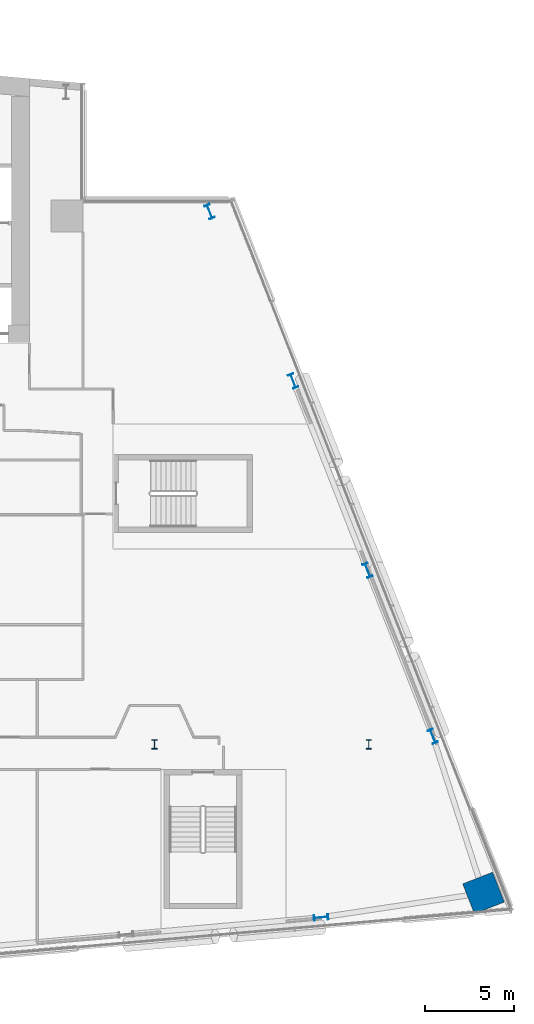
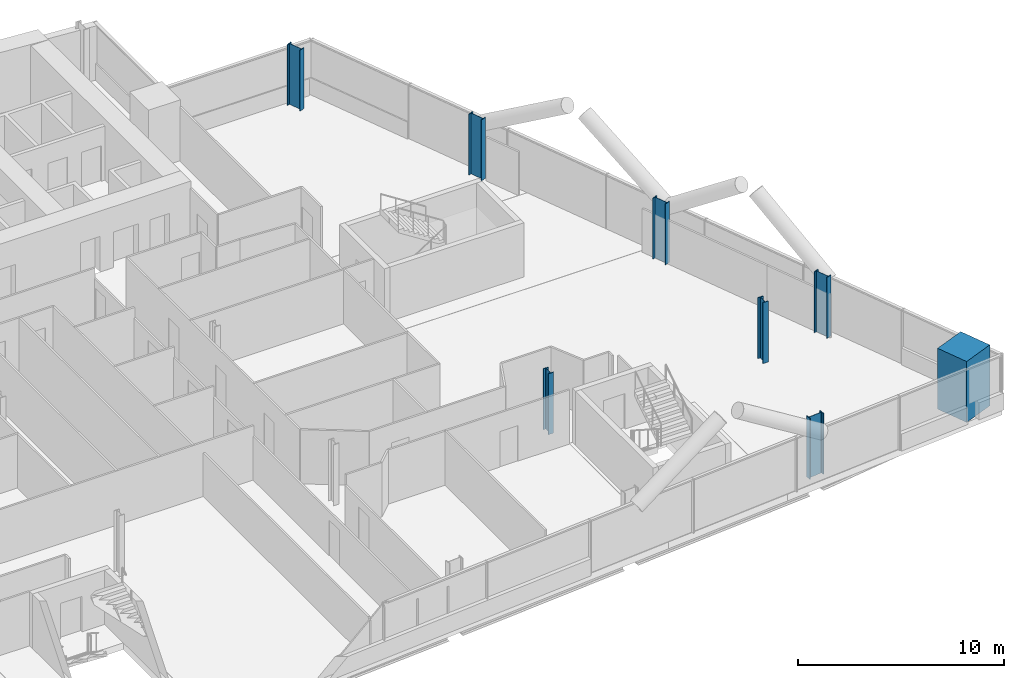
# One storey, part 4 of 26: 8 columns.
"""IFC4 building model written with IfcOpenShell, lengths in metres."""

import ifcopenshell
import ifcopenshell.guid

model = None  # the IFC model being written
_history = None  # IfcOwnerHistory: only IFC2X3 demands one
_inside = {}  # id of a spatial element -> (the spatial element, [elements in it])
_under = {}  # id of a project, library or spatial element -> (it, [spatial elements below it])
_declared = {}  # id of a project -> (the project, [libraries it declares])
_typed = {}  # id of a type object -> (the type object, [elements of that type])
_made_of = {}  # id of a material, layer set ... -> (it, [elements and type objects made of it])


def new_model(schema):
    """Start an empty IFC model of exactly this schema.

    Asked for "IFC4X3", IfcOpenShell would pick the latest addendum, in which some entities
    have other attributes; the version numbers below select the first issue.
    IFC2X3 requires an IfcOwnerHistory on every rooted entity: one is made here for all.
    """
    global model, _history
    if schema == "IFC4X3":
        model = ifcopenshell.file(schema_version=(4, 3, 0, 0))
    else:
        model = ifcopenshell.file(schema=schema)
    _inside.clear()
    _under.clear()
    _declared.clear()
    _typed.clear()
    _made_of.clear()
    _history = None
    if model.schema == "IFC2X3":
        org = make("IfcOrganization", Name="unknown")
        user = make(
            "IfcPersonAndOrganization",
            ThePerson=make("IfcPerson", FamilyName="unknown"),
            TheOrganization=org,
        )
        app = make(
            "IfcApplication",
            ApplicationDeveloper=org,
            Version="unknown",
            ApplicationFullName="unknown",
            ApplicationIdentifier="unknown",
        )
        _history = make(
            "IfcOwnerHistory",
            OwningUser=user,
            OwningApplication=app,
            ChangeAction="ADDED",
            CreationDate=0,
        )
    return model


def make(cls, **values):
    """One entity of the class cls with the attributes given. An attribute that is None is left unset."""
    return model.create_entity(
        cls, **{name: value for name, value in values.items() if value is not None}
    )


def rooted(cls, **values):
    """An entity with a GlobalId (a new one), such as an element, a storey or a relation."""
    return make(cls, GlobalId=ifcopenshell.guid.new(), OwnerHistory=_history, **values)


def si_unit(unit_type, name, prefix=None):
    """IfcSIUnit, for example si_unit("LENGTHUNIT", "METRE", prefix="MILLI")."""
    return make("IfcSIUnit", UnitType=unit_type, Prefix=prefix, Name=name)


def assignment(units):
    """IfcUnitAssignment: the units of a project."""
    return None if units is None else make("IfcUnitAssignment", Units=units)


def point(xyz):
    """IfcCartesianPoint."""
    return None if xyz is None else make("IfcCartesianPoint", Coordinates=xyz)


def direction(xyz):
    """IfcDirection."""
    return None if xyz is None else make("IfcDirection", DirectionRatios=xyz)


def frame(location, z_axis=None, x_axis=None):
    """IfcAxis2Placement3D, a coordinate frame: its origin and axes. An axis left out is left unset."""
    return make(
        "IfcAxis2Placement3D",
        Location=point(location),
        Axis=direction(z_axis),
        RefDirection=direction(x_axis),
    )


def frame_2d(location, x_axis=None):
    """IfcAxis2Placement2D, a coordinate frame in the plane: its origin and x axis."""
    return make(
        "IfcAxis2Placement2D", Location=point(location), RefDirection=direction(x_axis)
    )


def origin():
    """The frame at (0, 0, 0) with its axes left unset."""
    return frame((0.0, 0.0, 0.0))


def origin_2d():
    """The frame at (0, 0) in the plane with its x axis left unset."""
    return frame_2d((0.0, 0.0))


def place(relative_to, where):
    """IfcLocalPlacement: puts the frame where relative to a parent placement (None: the world)."""
    return make(
        "IfcLocalPlacement", PlacementRelTo=relative_to, RelativePlacement=where
    )


def context(
    kind, dimensions, precision=None, world=None, true_north=None, identifier=None
):
    """IfcGeometricRepresentationContext, for example the 3D "Model" context."""
    return make(
        "IfcGeometricRepresentationContext",
        ContextIdentifier=identifier,
        ContextType=kind,
        CoordinateSpaceDimension=dimensions,
        Precision=precision,
        WorldCoordinateSystem=world,
        TrueNorth=true_north,
    )


def subcontext(parent, identifier, kind, view, scale=None):
    """IfcGeometricRepresentationSubContext, for example "Body" below "Model"."""
    return make(
        "IfcGeometricRepresentationSubContext",
        ContextIdentifier=identifier,
        ContextType=kind,
        ParentContext=parent,
        TargetScale=scale,
        TargetView=view,
    )


def project(units=None, contexts=None):
    """IfcProject with its units and contexts."""
    return rooted(
        "IfcProject",
        Name="project",
        RepresentationContexts=contexts,
        UnitsInContext=assignment(units),
    )


def spatial(cls, under=None, at=None, **own):
    """A site, building, storey or space (cls), placed at a placement, below another one or the project."""
    s = rooted(cls, ObjectPlacement=at, **own)
    if under is not None:
        _under.setdefault(under.id(), (under, []))[1].append(s)
    return s


def profile(cls, at=None, kind="AREA", **sizes):
    """A parametric profile (cls). Its sizes go by their IFC names, for example OverallWidth=200.0."""
    return make(cls, ProfileType=kind, Position=at, **sizes)


def rectangle(**sizes):
    """IfcRectangleProfileDef."""
    return profile("IfcRectangleProfileDef", **sizes)


def i_section(**sizes):
    """IfcIShapeProfileDef."""
    return profile("IfcIShapeProfileDef", **sizes)


def extrude(swept, where, along, depth):
    """IfcExtrudedAreaSolid: the profile swept, set in the frame where, extruded along a direction by depth."""
    return make(
        "IfcExtrudedAreaSolid",
        SweptArea=swept,
        Position=where,
        ExtrudedDirection=direction(along),
        Depth=depth,
    )


def shape(context_of_items, identifier, shape_type, items):
    """IfcShapeRepresentation: the items that make up one representation, for example the "Body"."""
    return make(
        "IfcShapeRepresentation",
        ContextOfItems=context_of_items,
        RepresentationIdentifier=identifier,
        RepresentationType=shape_type,
        Items=items,
    )


def material(Name=None, Category=None):
    """IfcMaterial."""
    return make("IfcMaterial", Name=Name, Category=Category)


def material_profile(
    of_material, cross_section, Name=None, Category=None, Priority=None
):
    """IfcMaterialProfile: a cross section and its material."""
    return make(
        "IfcMaterialProfile",
        Name=Name,
        Material=of_material,
        Profile=cross_section,
        Priority=Priority,
        Category=Category,
    )


def profile_set(profiles, Name=None, composite=None):
    """IfcMaterialProfileSet."""
    return make(
        "IfcMaterialProfileSet",
        Name=Name,
        MaterialProfiles=profiles,
        CompositeProfile=composite,
    )


def made_of(thing, what):
    """Note that an element or type object is made of a material, layer set ...; save() writes the relation."""
    if what is not None:
        _made_of.setdefault(what.id(), (what, []))[1].append(thing)
    return thing


def type_object(cls, material=None, **own):
    """A type object (cls), such as IfcWallType, which elements share."""
    return made_of(rooted(cls, **own), material)


def element(
    cls,
    number,
    at=None,
    inside=None,
    cuts=None,
    type_object=None,
    material=None,
    context=None,
    identifier="Body",
    shape_type=None,
    held_by="IfcProductDefinitionShape",
    body=None,
    shapes=None,
    **own,
):
    """One element of the class cls, such as IfcWall. Its Tag is "e" and its number.

    at: its placement. inside: the storey or other place that contains it. cuts: it is an
    opening in that element (IfcRelVoidsElement). A single representation is given by context,
    identifier, shape_type and body (its items); several are given by shapes. held_by: the class
    of the entity that holds the representations. save() writes the other relations.
    """
    e = rooted(cls, Tag="e%d" % number, ObjectPlacement=at, **own)
    if body is not None:
        shapes = [shape(context, identifier, shape_type, body)]
    if shapes is not None:
        e.Representation = make(held_by, Representations=shapes)
    if inside is not None:
        _inside.setdefault(inside.id(), (inside, []))[1].append(e)
    if cuts is not None:
        rooted(
            "IfcRelVoidsElement", RelatingBuildingElement=cuts, RelatedOpeningElement=e
        )
    if type_object is not None:
        _typed.setdefault(type_object.id(), (type_object, []))[1].append(e)
    return made_of(e, material)


def aggregate(whole, parts):
    """IfcRelAggregates: a whole, such as a stair, and the parts it consists of."""
    return rooted("IfcRelAggregates", RelatingObject=whole, RelatedObjects=parts)


def save(model, path):
    """Write the relations noted so far, then the file.

    IfcRelAggregates (storeys below a building ...), IfcRelContainedInSpatialStructure (elements
    in a storey), IfcRelDefinesByType, IfcRelAssociatesMaterial and IfcRelDeclares: one each for
    every whole, place, type object, material and project.
    """
    for whole, parts in _under.values():
        aggregate(whole, parts)
    for where, things in _inside.values():
        rooted(
            "IfcRelContainedInSpatialStructure",
            RelatedElements=things,
            RelatingStructure=where,
        )
    for kind, things in _typed.values():
        rooted("IfcRelDefinesByType", RelatedObjects=things, RelatingType=kind)
    for what, things in _made_of.values():
        rooted("IfcRelAssociatesMaterial", RelatedObjects=things, RelatingMaterial=what)
    for by, libraries in _declared.values():
        rooted("IfcRelDeclares", RelatingContext=by, RelatedDefinitions=libraries)
    model.write(path)


model = new_model("IFC4")

# Units and contexts
model_context = context("Model", 3, precision=1e-05, world=origin(), true_north=direction((0.0, 1.0)))
body_context = subcontext(model_context, "Body", "Model", "MODEL_VIEW")
ifc_project = project(units=[si_unit("LENGTHUNIT", "METRE"), si_unit("AREAUNIT", "SQUARE_METRE"), si_unit("VOLUMEUNIT", "CUBIC_METRE"), si_unit("PLANEANGLEUNIT", "RADIAN"), si_unit("MASSUNIT", "GRAM", prefix="KILO")], contexts=[model_context])

# Site, building, storey
site_placement = place(None, origin())
site = spatial("IfcSite", under=ifc_project, at=site_placement, CompositionType="ELEMENT")
building_placement = place(site_placement, origin())
building = spatial("IfcBuilding", under=site, at=building_placement, Name="Wharfspan Tower", CompositionType="ELEMENT")
storey_placement = place(building_placement, frame((0.0, 0.0, 114.699951)))
storey = spatial("IfcBuildingStorey", under=building, at=storey_placement, Name="L26", CompositionType="ELEMENT", Elevation=114.699951)

# Columns
ifc_material_1 = material(Name="Steel S355J2", Category="steel")
ifc_material_profile_1 = material_profile(ifc_material_1, i_section(OverallWidth=0.305908, OverallDepth=0.523926, WebThickness=0.020996, FlangeThickness=0.040039, FilletRadius=0.0271, at=origin_2d()))
ifc_profile_set_1 = profile_set([ifc_material_profile_1], Name="Steel S355J2")
column_type_1 = type_object("IfcColumnType", Name="Column HEM 500", PredefinedType="COLUMN", material=ifc_profile_set_1)
for number, where, z_axis, x_axis, name in (
    (1, (72.0, 11.5, 0.0), (0.0, 0.0, 1.0), (1.0, 0.0, 0.0), "Interior column I.1.6 L26"),
    (2, (84.0, 11.5, 0.0), (0.0, 0.0, 1.0), (1.0, 0.0, 0.0), "Interior column I.1.7 L26"),
):
    element("IfcColumn", number, at=place(storey_placement, frame(where, z_axis=z_axis, x_axis=x_axis)), inside=storey, type_object=column_type_1, Name=name, PredefinedType="COLUMN", context=body_context, shape_type="SweptSolid", body=[
        extrude(i_section(OverallWidth=0.305908, OverallDepth=0.523926, WebThickness=0.020996, FlangeThickness=0.040039, FilletRadius=0.0271, at=origin_2d()), origin(), (0.0, 0.0, 1.0), 3.600098),
    ])
ifc_material_profile_2 = material_profile(ifc_material_1, i_section(OverallWidth=0.302979, OverallDepth=0.813965, WebThickness=0.020996, FlangeThickness=0.040039, FilletRadius=0.030029, at=origin_2d()))
ifc_profile_set_2 = profile_set([ifc_material_profile_2], Name="Steel S355J2")
column_type_2 = type_object("IfcColumnType", Name="Column HEM 800", PredefinedType="COLUMN", material=ifc_profile_set_2)
for number, where, z_axis, x_axis, name in (
    (3, (81.327881, 1.80835, 0.0), (0.0, 0.0, 1.0), (0.087156, -0.996198, 0.0), "Perimeter column PS2.3 L26"),
    (4, (87.586914, 11.952393, 0.0), (0.0, 0.0, 1.0), (0.930702, 0.365778, 0.0), "Perimeter column PE.1 L26"),
    (5, (83.932617, 21.250977, 0.0), (0.0, 0.0, 1.0), (0.930702, 0.365778, 0.0), "Perimeter column PE.2 L26"),
    (6, (79.765869, 31.852539, 0.0), (0.0, 0.0, 1.0), (0.930702, 0.365778, 0.0), "Perimeter column PE.3 L26"),
    (7, (75.084961, 41.337646, 0.0), (0.0, 0.0, 1.0), (0.930702, 0.365778, 0.0), "Perimeter column PE.4 L26"),
):
    element("IfcColumn", number, at=place(storey_placement, frame(where, z_axis=z_axis, x_axis=x_axis)), inside=storey, type_object=column_type_2, Name=name, PredefinedType="COLUMN", context=body_context, shape_type="SweptSolid", body=[
        extrude(i_section(OverallWidth=0.302979, OverallDepth=0.813965, WebThickness=0.020996, FlangeThickness=0.040039, FilletRadius=0.030029, at=origin_2d()), origin(), (0.0, 0.0, 1.0), 3.600098),
    ])
ifc_material_2 = material(Name="Concrete C70/85", Category="concrete")
ifc_material_profile_3 = material_profile(ifc_material_2, rectangle(XDim=1.800049, YDim=1.800049, at=origin_2d()))
ifc_profile_set_3 = profile_set([ifc_material_profile_3], Name="Concrete C70/85")
column_type_3 = type_object("IfcColumnType", Name="Mega column 1800 C70/85", PredefinedType="COLUMN", material=ifc_profile_set_3)
column_placement = place(storey_placement, frame((90.427246, 3.174072, 0.0), z_axis=(0.0, 0.0, 1.0), x_axis=(-0.365778, 0.930702, 0.0)))
element("IfcColumn", 8, at=column_placement, inside=storey, type_object=column_type_3, Name="Mega column MC4 L26", PredefinedType="COLUMN", context=body_context, shape_type="SweptSolid", body=[
    extrude(rectangle(XDim=1.800049, YDim=1.800049, at=origin_2d()), origin(), (0.0, 0.0, 1.0), 3.600098),
])

save(model, "model.ifc")
